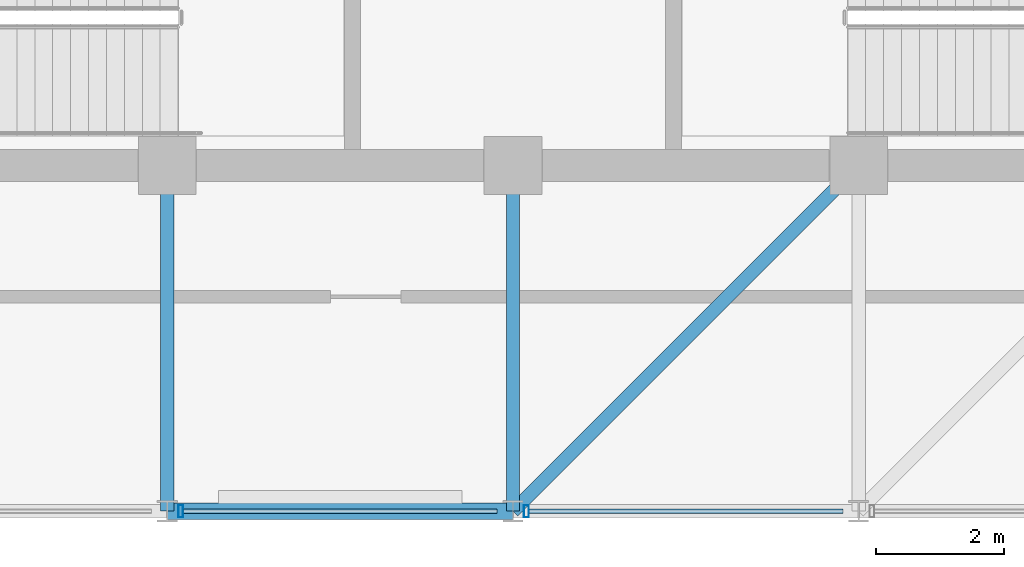
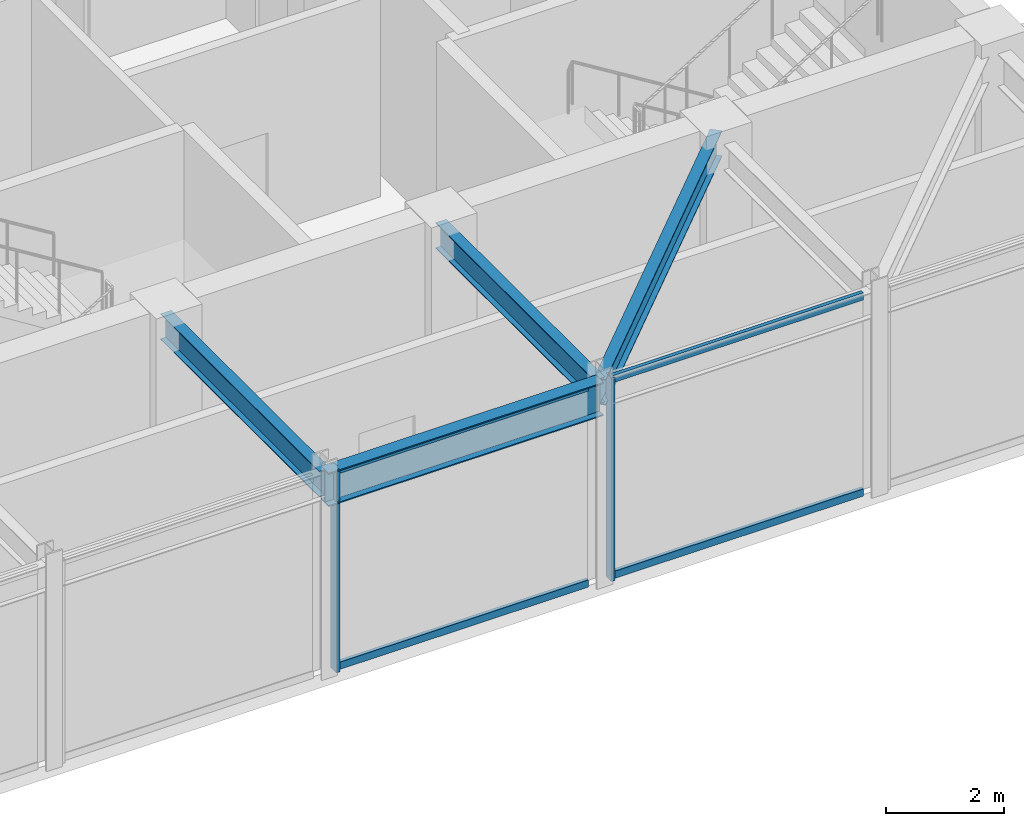
# One storey, part 4 of 18: 6 members, 4 beams, 1 element without a shape of its own.
"""IFC4 building model written with IfcOpenShell, lengths in metres."""

from ifc_helpers import new_model, si_unit, direction, frame, origin, origin_2d, place, context, subcontext, project, spatial, hollow_rectangle, i_section, extrude, material, layer, layer_set, material_profile, profile_set, type_object, element, aggregate, save


model = new_model("IFC4")

# Units and contexts
model_context = context("Model", 3, precision=1e-05, world=origin(), true_north=direction((0.0, 1.0)))
body_context = subcontext(model_context, "Body", "Model", "MODEL_VIEW")
ifc_project = project(units=[si_unit("LENGTHUNIT", "METRE"), si_unit("AREAUNIT", "SQUARE_METRE"), si_unit("VOLUMEUNIT", "CUBIC_METRE"), si_unit("PLANEANGLEUNIT", "RADIAN"), si_unit("MASSUNIT", "GRAM", prefix="KILO")], contexts=[model_context])

# Site, building, storey
site_placement = place(None, origin())
site = spatial("IfcSite", under=ifc_project, at=site_placement, CompositionType="ELEMENT")
building_placement = place(site_placement, origin())
building = spatial("IfcBuilding", under=site, at=building_placement, Name="Surkhivell Harbour Commons", CompositionType="ELEMENT")
storey_placement = place(building_placement, frame((0.0, 0.0, 351.0)))
storey = spatial("IfcBuildingStorey", under=building, at=storey_placement, Name="L91", CompositionType="ELEMENT", Elevation=351.0)

# Beams
ifc_material_1 = material(Name="Steel S355", Category="steel")
ifc_material_profile_1 = material_profile(ifc_material_1, i_section(OverallWidth=0.2099609375, OverallDepth=0.537109375, WebThickness=0.0107421875, FlangeThickness=0.017333984375, at=origin_2d()), Name="UB533x210x101")
ifc_profile_set_1 = profile_set([ifc_material_profile_1], Name="Steel S355")
beam_type_1 = type_object("IfcBeamType", Name="BM-GRD-533B", PredefinedType="BEAM", material=ifc_profile_set_1)
for number, where, z_axis, x_axis, name in (
    (1, (-5.39990234375, -16.199951171875, 3.951416015625), (0.0, 1.0, 0.0), (-1.0, 0.0, 0.0), "L91 Floor Girder (-5.4,-16.2)"),
    (2, (0.0, -16.199951171875, 3.951416015625), (0.0, 1.0, 0.0), (-1.0, 0.0, 0.0), "L91 Floor Girder (0.0,-16.2)"),
):
    element("IfcBeam", number, at=place(storey_placement, frame(where, z_axis=z_axis, x_axis=x_axis)), inside=storey, type_object=beam_type_1, Name=name, PredefinedType="BEAM", context=body_context, shape_type="SweptSolid", body=[
        extrude(i_section(OverallWidth=0.2099609375, OverallDepth=0.537109375, WebThickness=0.0107421875, FlangeThickness=0.017333984375, at=origin_2d()), origin(), (0.0, 0.0, 1.0), 5.39990234375),
    ])
beam_1_placement = place(storey_placement, frame((0.0, -16.199951171875, 3.951416015625), z_axis=(0.707106781187, 0.707106781187, 0.0), x_axis=(-0.707106781187, 0.707106781187, 0.0)))
element("IfcBeam", 3, at=beam_1_placement, inside=storey, type_object=beam_type_1, Name="L91 Floor Girder (0.0,-16.2)", PredefinedType="BEAM", context=body_context, shape_type="SweptSolid", body=[
    extrude(i_section(OverallWidth=0.2099609375, OverallDepth=0.537109375, WebThickness=0.0107421875, FlangeThickness=0.017333984375, at=origin_2d()), origin(), (0.0, 0.0, 1.0), 7.63671875),
])
ifc_material_profile_2 = material_profile(ifc_material_1, i_section(OverallWidth=0.256103515625, OverallDepth=0.693115234375, WebThickness=0.014404296875, FlangeThickness=0.023681640625, at=origin_2d()), Name="UB686x254x170")
ifc_profile_set_2 = profile_set([ifc_material_profile_2], Name="Steel S355")
beam_type_2 = type_object("IfcBeamType", Name="BM-SPN-686", PredefinedType="SPANDREL", material=ifc_profile_set_2)
beam_2_placement = place(storey_placement, frame((-5.39990234375, -16.199951171875, 3.87353515625), z_axis=(1.0, 0.0, 0.0), x_axis=(0.0, 1.0, 0.0)))
element("IfcBeam", 4, at=beam_2_placement, inside=storey, type_object=beam_type_2, Name="L91 Tube Spandrel (-5.4,-16.2)", PredefinedType="SPANDREL", context=body_context, shape_type="SweptSolid", body=[
    extrude(i_section(OverallWidth=0.256103515625, OverallDepth=0.693115234375, WebThickness=0.014404296875, FlangeThickness=0.023681640625, at=origin_2d()), origin(), (0.0, 0.0, 1.0), 5.39990234375),
])

# Curtain wall, members
ifc_material_2 = material(Name="Anodised pale-metal aluminium and insulated glazing", Category="aluminium")
ifc_layer = layer(ifc_material_2, 0.22998046875)
ifc_layer_set = layer_set([ifc_layer], Name="Anodised pale-metal aluminium and insulated glazing")
curtain_wall_type = type_object("IfcCurtainWallType", Name="CW-SYS-CRN", PredefinedType="NOTDEFINED", material=ifc_layer_set)
curtain_wall_placement = place(storey_placement, origin())
curtain_wall = element("IfcCurtainWall", 5, at=curtain_wall_placement, inside=storey, type_object=curtain_wall_type, Name="L91 Curtain Wall CW-L91-C05", PredefinedType="NOTDEFINED")
ifc_material_3 = material(Name="Anodised pale-metal aluminium alloy 6063-T6", Category="aluminium")
ifc_material_profile_3 = material_profile(ifc_material_3, hollow_rectangle(XDim=0.074951171875, YDim=0.18994140625, WallThickness=0.00390625, at=origin_2d()), Name="ALU-MULL-75x190")
ifc_profile_set_3 = profile_set([ifc_material_profile_3], Name="Anodised pale-metal aluminium alloy 6063-T6")
member_type_1 = type_object("IfcMemberType", Name="CWM-190", PredefinedType="MULLION", material=ifc_profile_set_3)
member_1_placement = place(storey_placement, frame((-5.1904296875, -16.199951171875, 0.0), z_axis=(0.0, 0.0, 1.0), x_axis=(1.0, 0.0, 0.0)))
member_1 = element("IfcMember", 6, at=member_1_placement, type_object=member_type_1, Name="CW-CRN mullion 3", PredefinedType="MULLION", context=body_context, shape_type="SweptSolid", body=[
    extrude(hollow_rectangle(XDim=0.074951171875, YDim=0.18994140625, WallThickness=0.00390625, at=origin_2d()), origin(), (0.0, 0.0, 1.0), 4.219970703125),
])
member_2_placement = place(storey_placement, frame((0.20947265625, -16.199951171875, 0.0), z_axis=(0.0, 0.0, 1.0), x_axis=(1.0, 0.0, 0.0)))
member_2 = element("IfcMember", 7, at=member_2_placement, type_object=member_type_1, Name="CW-CRN mullion 4", PredefinedType="MULLION", context=body_context, shape_type="SweptSolid", body=[
    extrude(hollow_rectangle(XDim=0.074951171875, YDim=0.18994140625, WallThickness=0.00390625, at=origin_2d()), origin(), (0.0, 0.0, 1.0), 4.219970703125),
])
ifc_material_profile_4 = material_profile(ifc_material_3, hollow_rectangle(XDim=0.074951171875, YDim=0.14990234375, WallThickness=0.00341796875, at=origin_2d()), Name="ALU-TRAN-75x150")
ifc_profile_set_4 = profile_set([ifc_material_profile_4], Name="Anodised pale-metal aluminium alloy 6063-T6")
member_type_2 = type_object("IfcMemberType", Name="CWT-150", PredefinedType="USERDEFINED", material=ifc_profile_set_4)
member_3_placement = place(storey_placement, frame((-5.153076171875, -16.199951171875, 0.074951171875), z_axis=(1.0, 0.0, 0.0), x_axis=(0.0, 1.0, 0.0)))
member_3 = element("IfcMember", 8, at=member_3_placement, type_object=member_type_2, Name="CW-CRN transom 3.1", ObjectType="TRANSOM", PredefinedType="USERDEFINED", context=body_context, shape_type="SweptSolid", body=[
    extrude(hollow_rectangle(XDim=0.074951171875, YDim=0.14990234375, WallThickness=0.00341796875, at=origin_2d()), origin(), (0.0, 0.0, 1.0), 4.906005859375),
])
member_4_placement = place(storey_placement, frame((-5.153076171875, -16.199951171875, 4.14501953125), z_axis=(1.0, 0.0, 0.0), x_axis=(0.0, 1.0, 0.0)))
member_4 = element("IfcMember", 9, at=member_4_placement, type_object=member_type_2, Name="CW-CRN transom 3.2", ObjectType="TRANSOM", PredefinedType="USERDEFINED", context=body_context, shape_type="SweptSolid", body=[
    extrude(hollow_rectangle(XDim=0.074951171875, YDim=0.14990234375, WallThickness=0.00341796875, at=origin_2d()), origin(), (0.0, 0.0, 1.0), 4.906005859375),
])
member_5_placement = place(storey_placement, frame((0.2470703125, -16.199951171875, 0.074951171875), z_axis=(1.0, 0.0, 0.0), x_axis=(0.0, 1.0, 0.0)))
member_5 = element("IfcMember", 10, at=member_5_placement, type_object=member_type_2, Name="CW-CRN transom 4.1", ObjectType="TRANSOM", PredefinedType="USERDEFINED", context=body_context, shape_type="SweptSolid", body=[
    extrude(hollow_rectangle(XDim=0.074951171875, YDim=0.14990234375, WallThickness=0.00341796875, at=origin_2d()), origin(), (0.0, 0.0, 1.0), 4.906005859375),
])
member_6_placement = place(storey_placement, frame((0.2470703125, -16.199951171875, 4.14501953125), z_axis=(1.0, 0.0, 0.0), x_axis=(0.0, 1.0, 0.0)))
member_6 = element("IfcMember", 11, at=member_6_placement, type_object=member_type_2, Name="CW-CRN transom 4.2", ObjectType="TRANSOM", PredefinedType="USERDEFINED", context=body_context, shape_type="SweptSolid", body=[
    extrude(hollow_rectangle(XDim=0.074951171875, YDim=0.14990234375, WallThickness=0.00341796875, at=origin_2d()), origin(), (0.0, 0.0, 1.0), 4.906005859375),
])
aggregate(curtain_wall, [member_1, member_3, member_4, member_2, member_5, member_6])

save(model, "model.ifc")
